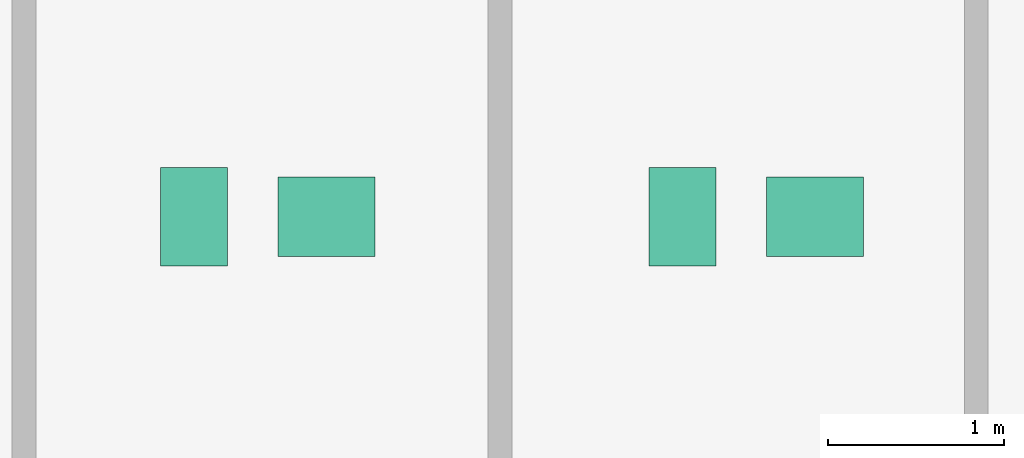
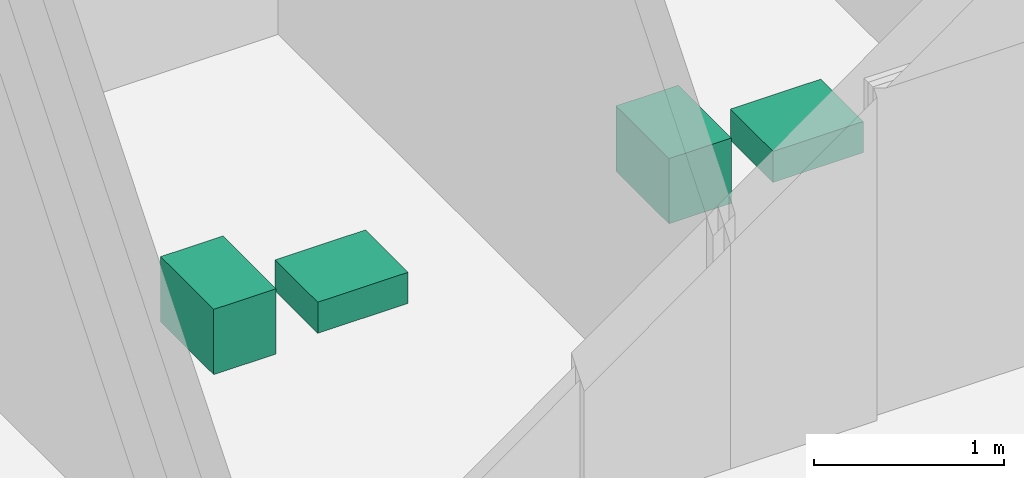
# One storey, part 13 of 13: 4 sanitary terminals.
"""IFC4 building model written with IfcOpenShell, lengths in metres."""

from ifc_helpers import new_model, si_unit, direction, frame, origin, origin_2d, place, context, subcontext, project, spatial, rectangle, extrude, material, type_object, element, save


model = new_model("IFC4")

# Units and contexts
model_context = context("Model", 3, precision=1e-05, world=origin(), true_north=direction((0.0, 1.0)))
body_context = subcontext(model_context, "Body", "Model", "MODEL_VIEW")
ifc_project = project(units=[si_unit("LENGTHUNIT", "METRE"), si_unit("AREAUNIT", "SQUARE_METRE"), si_unit("VOLUMEUNIT", "CUBIC_METRE"), si_unit("PLANEANGLEUNIT", "RADIAN"), si_unit("MASSUNIT", "GRAM", prefix="KILO")], contexts=[model_context])

# Site, building, storey
site_placement = place(None, origin())
site = spatial("IfcSite", under=ifc_project, at=site_placement, CompositionType="ELEMENT")
building_placement = place(site_placement, origin())
building = spatial("IfcBuilding", under=site, at=building_placement, Name="Zuhayl Quay Hotel", CompositionType="ELEMENT")
storey_placement = place(building_placement, frame((0.0, 0.0, -4.5)))
storey = spatial("IfcBuildingStorey", under=building, at=storey_placement, Name="B1", CompositionType="ELEMENT", Elevation=-4.5)

# Sanitary terminals
ifc_material = material(Name="Vitreous Porcelain Sanitaryware")
sanitary_terminal_type_1 = type_object("IfcSanitaryTerminalType", Name="SAN_BASIN", PredefinedType="WASHHANDBASIN", material=ifc_material)
for number, where, z_axis, x_axis, name in (
    (1, (26.514892578125, 19.175048828125, 0.0), (0.0, 0.0, 1.0), (1.0, 0.0, 0.0), "B1 Sanitary Fixture WASHHANDBASIN"),
    (2, (29.284912109375, 19.175048828125, 0.0), (0.0, 0.0, 1.0), (1.0, 0.0, 0.0), "B1 Sanitary Fixture WASHHANDBASIN"),
):
    element("IfcSanitaryTerminal", number, at=place(storey_placement, frame(where, z_axis=z_axis, x_axis=x_axis)), inside=storey, type_object=sanitary_terminal_type_1, Name=name, PredefinedType="WASHHANDBASIN", context=body_context, shape_type="SweptSolid", body=[
        extrude(rectangle(XDim=0.550048828125, YDim=0.449951171875, at=origin_2d()), origin(), (0.0, 0.0, 1.0), 0.199951171875),
    ])
sanitary_terminal_type_2 = type_object("IfcSanitaryTerminalType", Name="SAN_WC", PredefinedType="TOILETPAN", material=ifc_material)
for number, where, z_axis, x_axis, name in (
    (3, (25.764892578125, 19.175048828125, 0.0), (0.0, 0.0, 1.0), (1.0, 0.0, 0.0), "B1 Sanitary Fixture TOILETPAN"),
    (4, (28.534912109375, 19.175048828125, 0.0), (0.0, 0.0, 1.0), (1.0, 0.0, 0.0), "B1 Sanitary Fixture TOILETPAN"),
):
    element("IfcSanitaryTerminal", number, at=place(storey_placement, frame(where, z_axis=z_axis, x_axis=x_axis)), inside=storey, type_object=sanitary_terminal_type_2, Name=name, PredefinedType="TOILETPAN", context=body_context, shape_type="SweptSolid", body=[
        extrude(rectangle(XDim=0.3798828125, YDim=0.56005859375, at=origin_2d()), origin(), (0.0, 0.0, 1.0), 0.419921875),
    ])

save(model, "model.ifc")
